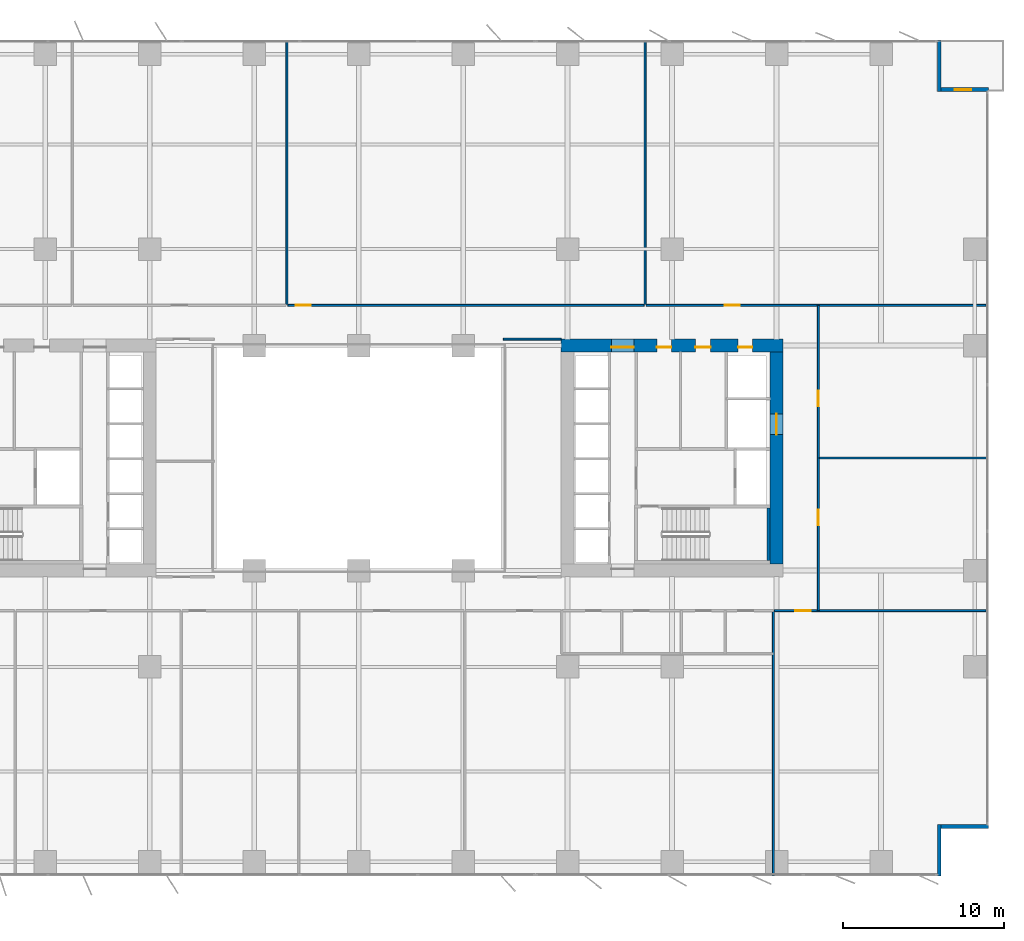
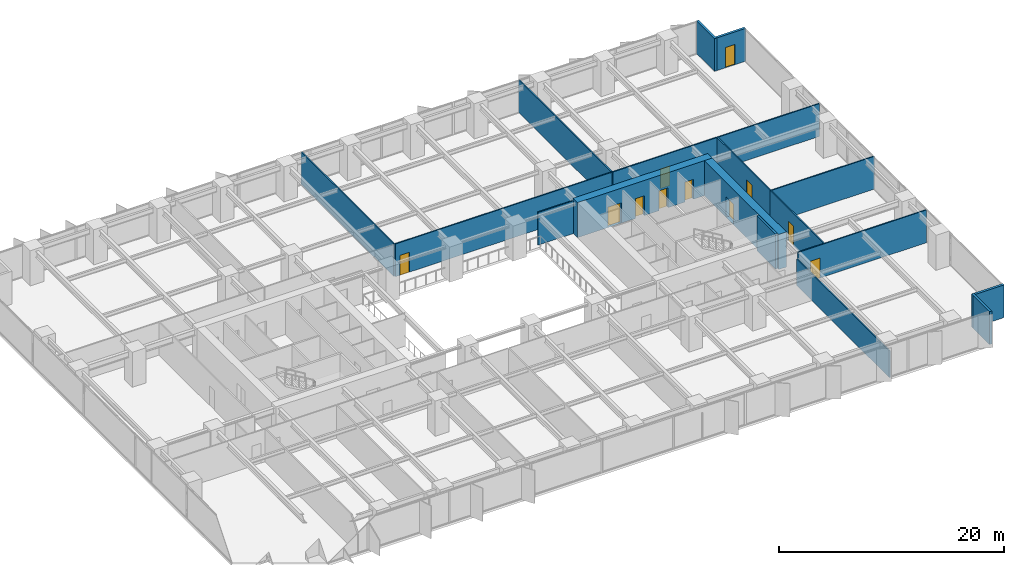
# One storey, part 15 of 20: 17 walls, 11 doors, 11 openings.
"""IFC4 building model written with IfcOpenShell, lengths in metres."""

from ifc_helpers import new_model, si_unit, direction, frame, frame_2d, origin, place, context, subcontext, project, spatial, rectangle, extrude, material, layer, layer_set, type_object, element, fill, save


model = new_model("IFC4")

# Units and contexts
model_context = context("Model", 3, precision=1e-05, world=origin(), true_north=direction((0.0, 1.0)))
body_context = subcontext(model_context, "Body", "Model", "MODEL_VIEW")
ifc_project = project(units=[si_unit("LENGTHUNIT", "METRE"), si_unit("AREAUNIT", "SQUARE_METRE"), si_unit("VOLUMEUNIT", "CUBIC_METRE"), si_unit("PLANEANGLEUNIT", "RADIAN"), si_unit("MASSUNIT", "GRAM", prefix="KILO")], contexts=[model_context])

# Site, building, storey
site_placement = place(None, origin())
site = spatial("IfcSite", under=ifc_project, at=site_placement, CompositionType="ELEMENT")
building_placement = place(site_placement, origin())
building = spatial("IfcBuilding", under=site, at=building_placement, Name="Putna Gate Headquarters", CompositionType="ELEMENT")
storey_placement = place(building_placement, frame((0.0, 0.0, 69.60009765625)))
storey = spatial("IfcBuildingStorey", under=building, at=storey_placement, Name="L16", CompositionType="ELEMENT", Elevation=69.60009765625)

# Wall, openings, doors
ifc_material_1 = material(Name="Concrete C60/75", Category="concrete")
ifc_layer_1 = layer(ifc_material_1, 0.800048828125)
ifc_layer_set_1 = layer_set([ifc_layer_1], Name="Concrete C60/75")
wall_type_1 = type_object("IfcWallType", Name="WALL-CORE-800", PredefinedType="SHEAR", material=ifc_layer_set_1)
wall_1_placement = place(storey_placement, frame((51.60009765625, 33.0, 0.0), z_axis=(0.0, 0.0, 1.0), x_axis=(1.0, 0.0, 0.0)))
wall_1 = element("IfcWall", 1, at=wall_1_placement, inside=storey, type_object=wall_type_1, Name="L16 EC Split Core Shear Wall N", PredefinedType="SHEAR", context=body_context, shape_type="SweptSolid", body=[
    extrude(rectangle(XDim=13.7998046875, YDim=0.800048828125, at=frame_2d((6.89990234375, 0.0))), origin(), (0.0, 0.0, 1.0), 3.7998046875),
])
opening_1_placement = place(wall_1_placement, frame((3.1201171875, 0.0, 0.0)))
opening_1 = element("IfcOpeningElement", 2, at=opening_1_placement, cuts=wall_1, Name="Opening FDD-140", PredefinedType="OPENING", context=body_context, shape_type="SweptSolid", body=[
    extrude(rectangle(XDim=1.39990234375, YDim=2.199951171875, at=frame_2d((0.699951171875, 1.10009765625))), frame((0.0, 0.409912109375, 0.0), z_axis=(0.0, -1.0, 0.0), x_axis=(1.0, 0.0, 0.0)), (0.0, 0.0, 1.0), 0.820068359375),
])
opening_2_placement = place(wall_1_placement, frame((11.0, 0.0, 0.0)))
opening_2 = element("IfcOpeningElement", 3, at=opening_2_placement, cuts=wall_1, Name="Opening RD-90", PredefinedType="OPENING", context=body_context, shape_type="SweptSolid", body=[
    extrude(rectangle(XDim=0.89990234375, YDim=2.14990234375, at=frame_2d((0.449951171875, 1.074951171875))), frame((0.0, 0.409912109375, 0.0), z_axis=(0.0, -1.0, 0.0), x_axis=(1.0, 0.0, 0.0)), (0.0, 0.0, 1.0), 0.820068359375),
])
opening_3_placement = place(wall_1_placement, frame((5.949951171875, 0.0, 0.0)))
opening_3 = element("IfcOpeningElement", 4, at=opening_3_placement, cuts=wall_1, Name="Opening IDS-90", PredefinedType="OPENING", context=body_context, shape_type="SweptSolid", body=[
    extrude(rectangle(XDim=0.89990234375, YDim=2.14990234375, at=frame_2d((0.449951171875, 1.074951171875))), frame((0.0, 0.409912109375, 0.0), z_axis=(0.0, -1.0, 0.0), x_axis=(1.0, 0.0, 0.0)), (0.0, 0.0, 1.0), 0.820068359375),
])
opening_4_placement = place(wall_1_placement, frame((8.35009765625, 0.0, 0.0)))
opening_4 = element("IfcOpeningElement", 5, at=opening_4_placement, cuts=wall_1, Name="Opening IDS-95", PredefinedType="OPENING", context=body_context, shape_type="SweptSolid", body=[
    extrude(rectangle(XDim=0.949951171875, YDim=2.14990234375, at=frame_2d((0.47509765625, 1.074951171875))), frame((0.0, 0.409912109375, 0.0), z_axis=(0.0, -1.0, 0.0), x_axis=(1.0, 0.0, 0.0)), (0.0, 0.0, 1.0), 0.820068359375),
])
ifc_material_2 = material(Name="Double steel fire door", Category="steel")
door_type_1 = type_object("IfcDoorType", Name="DOOR-FIRE-DBL-1400", OperationType="DOUBLE_DOOR_SINGLE_SWING", PredefinedType="DOOR", material=ifc_material_2)
door_1_placement = place(opening_1_placement, origin())
door_1 = element("IfcDoor", 6, at=door_1_placement, inside=storey, type_object=door_type_1, Name="L16 East Lift Lobby North Door", OperationType="DOUBLE_DOOR_SINGLE_SWING", OverallHeight=2.199951171875, OverallWidth=1.39990234375, PredefinedType="DOOR", context=body_context, shape_type="SweptSolid", body=[
    extrude(rectangle(XDim=1.39990234375, YDim=2.199951171875, at=frame_2d((0.699951171875, 1.10009765625))), frame((0.0, -0.0751953125, 0.0), z_axis=(0.0, -1.0, 0.0), x_axis=(1.0, 0.0, 0.0)), (0.0, 0.0, 1.0), 0.050048828125),
])
fill(opening_1, door_1)
ifc_material_3 = material(Name="Fire-rated utility door")
door_type_2 = type_object("IfcDoorType", Name="DOOR-INT-900", OperationType="NOTDEFINED", PredefinedType="DOOR", material=ifc_material_3)
door_2_placement = place(opening_3_placement, origin())
door_2 = element("IfcDoor", 7, at=door_2_placement, inside=storey, type_object=door_type_2, Name="L16 Telecoms Plant Door", OperationType="SINGLE_SWING_LEFT", OverallHeight=2.14990234375, OverallWidth=0.89990234375, PredefinedType="DOOR", context=body_context, shape_type="SweptSolid", body=[
    extrude(rectangle(XDim=0.89990234375, YDim=2.14990234375, at=frame_2d((0.449951171875, 1.074951171875))), frame((0.0, -0.0751953125, 0.0), z_axis=(0.0, -1.0, 0.0), x_axis=(1.0, 0.0, 0.0)), (0.0, 0.0, 1.0), 0.050048828125),
])
fill(opening_3, door_2)
ifc_material_4 = material(Name="Fire-rated service timber door", Category="wood")
door_type_3 = type_object("IfcDoorType", Name="DOOR-INT-950", OperationType="NOTDEFINED", PredefinedType="DOOR", material=ifc_material_4)
door_3_placement = place(opening_4_placement, origin())
door_3 = element("IfcDoor", 8, at=door_3_placement, inside=storey, type_object=door_type_3, Name="L16 Supplies Store Door", OperationType="SINGLE_SWING_RIGHT", OverallHeight=2.14990234375, OverallWidth=0.949951171875, PredefinedType="DOOR", context=body_context, shape_type="SweptSolid", body=[
    extrude(rectangle(XDim=0.949951171875, YDim=2.14990234375, at=frame_2d((0.47509765625, 1.074951171875))), frame((0.0, -0.0751953125, 0.0), z_axis=(0.0, -1.0, 0.0), x_axis=(1.0, 0.0, 0.0)), (0.0, 0.0, 1.0), 0.050048828125),
])
fill(opening_4, door_3)
ifc_material_5 = material(Name="Steel riser access fire door", Category="steel")
door_type_4 = type_object("IfcDoorType", Name="DOOR-RISER-900", OperationType="NOTDEFINED", PredefinedType="DOOR", material=ifc_material_5)
door_4_placement = place(opening_2_placement, origin())
door_4 = element("IfcDoor", 9, at=door_4_placement, inside=storey, type_object=door_type_4, Name="L16 East Riser Access Door", OperationType="SINGLE_SWING_LEFT", OverallHeight=2.14990234375, OverallWidth=0.89990234375, PredefinedType="DOOR", context=body_context, shape_type="SweptSolid", body=[
    extrude(rectangle(XDim=0.89990234375, YDim=2.14990234375, at=frame_2d((0.449951171875, 1.074951171875))), frame((0.0, -0.0751953125, 0.0), z_axis=(0.0, -1.0, 0.0), x_axis=(1.0, 0.0, 0.0)), (0.0, 0.0, 1.0), 0.050048828125),
])
fill(opening_2, door_4)

# Wall, opening, door
wall_2_placement = place(storey_placement, frame((65.0, 19.39990234375, 0.0), z_axis=(0.0, 0.0, 1.0), x_axis=(0.0, 1.0, 0.0)))
wall_2 = element("IfcWall", 10, at=wall_2_placement, inside=storey, type_object=wall_type_1, Name="L16 EC Split Core Shear Wall E", PredefinedType="SHEAR", context=body_context, shape_type="SweptSolid", body=[
    extrude(rectangle(XDim=13.2001953125, YDim=0.800048828125, at=frame_2d((6.60009765625, 0.0))), origin(), (0.0, 0.0, 1.0), 3.7998046875),
])
opening_5_placement = place(wall_2_placement, frame((8.050048828125, 0.0, 0.0)))
opening_5 = element("IfcOpeningElement", 11, at=opening_5_placement, cuts=wall_2, Name="Opening LD-2", PredefinedType="OPENING", context=body_context, shape_type="SweptSolid", body=[
    extrude(rectangle(XDim=1.300048828125, YDim=2.199951171875, at=frame_2d((0.64990234375, 1.10009765625))), frame((0.0, 0.409912109375, 0.0), z_axis=(0.0, -1.0, 0.0), x_axis=(1.0, 0.0, 0.0)), (0.0, 0.0, 1.0), 0.820068359375),
])
ifc_material_6 = material(Name="Heavy-duty goods lift sliding landing door")
door_type_5 = type_object("IfcDoorType", Name="DOOR-LIFT-1300", OperationType="DOUBLE_DOOR_SLIDING", PredefinedType="DOOR", material=ifc_material_6)
door_5_placement = place(opening_5_placement, origin())
door_5 = element("IfcDoor", 12, at=door_5_placement, inside=storey, type_object=door_type_5, Name="L16 Goods Lift Landing Door LD-15", OperationType="DOUBLE_DOOR_SLIDING", OverallHeight=2.199951171875, OverallWidth=1.300048828125, PredefinedType="DOOR", context=body_context, shape_type="SweptSolid", body=[
    extrude(rectangle(XDim=1.300048828125, YDim=2.199951171875, at=frame_2d((0.64990234375, 1.10009765625))), frame((0.0, 0.02490234375, 0.0), z_axis=(0.0, -1.0, 0.0), x_axis=(1.0, 0.0, 0.0)), (0.0, 0.0, 1.0), 0.050048828125),
])
fill(opening_5, door_5)

# Wall
ifc_material_7 = material(Name="Precast concrete C40/50", Category="concrete")
ifc_layer_2 = layer(ifc_material_7, 0.239990234375)
ifc_layer_set_2 = layer_set([ifc_layer_2], Name="Precast concrete C40/50")
wall_type_2 = type_object("IfcWallType", Name="WALL-EXT-TERR-240", PredefinedType="STANDARD", material=ifc_layer_set_2)
wall_3_placement = place(storey_placement, frame((75.1201171875, 52.0, 0.0), z_axis=(0.0, 0.0, 1.0), x_axis=(0.0, -1.0, 0.0)))
element("IfcWall", 13, at=wall_3_placement, inside=storey, type_object=wall_type_2, Name="L16 Corner Notch Return Wall NE-V", PredefinedType="STANDARD", context=body_context, shape_type="SweptSolid", body=[
    extrude(rectangle(XDim=3.199951171875, YDim=0.239990234375, at=frame_2d((1.60009765625, 0.0))), origin(), (0.0, 0.0, 1.0), 3.5498046875),
])

# Wall, opening, door
wall_4_placement = place(storey_placement, frame((75.0, 48.919921875, 0.0), z_axis=(0.0, 0.0, 1.0), x_axis=(1.0, 0.0, 0.0)))
wall_4 = element("IfcWall", 14, at=wall_4_placement, inside=storey, type_object=wall_type_2, Name="L16 Corner Notch Return Wall NE-H", PredefinedType="STANDARD", context=body_context, shape_type="SweptSolid", body=[
    extrude(rectangle(XDim=3.199951171875, YDim=0.239990234375, at=frame_2d((1.60009765625, 0.0))), origin(), (0.0, 0.0, 1.0), 3.5498046875),
])
opening_6_placement = place(wall_4_placement, frame((1.10009765625, 0.0, 0.0)))
opening_6 = element("IfcOpeningElement", 15, at=opening_6_placement, cuts=wall_4, Name="Opening TRD-1", PredefinedType="OPENING", context=body_context, shape_type="SweptSolid", body=[
    extrude(rectangle(XDim=1.0, YDim=2.199951171875, at=frame_2d((0.5, 1.10009765625))), frame((0.0, 0.1298828125, 0.0), z_axis=(0.0, -1.0, 0.0), x_axis=(1.0, 0.0, 0.0)), (0.0, 0.0, 1.0), 0.260009765625),
])
ifc_material_8 = material(Name="Thermally broken bronze glazed terrace door")
door_type_6 = type_object("IfcDoorType", Name="DOOR-TERR-EXT-1000", OperationType="NOTDEFINED", PredefinedType="DOOR", material=ifc_material_8)
door_6_placement = place(opening_6_placement, origin())
door_6 = element("IfcDoor", 16, at=door_6_placement, inside=storey, type_object=door_type_6, Name="L16 Spiral Sky Terrace Door NE", OperationType="SINGLE_SWING_LEFT", OverallHeight=2.199951171875, OverallWidth=1.0, PredefinedType="DOOR", context=body_context, shape_type="SweptSolid", body=[
    extrude(rectangle(XDim=1.0, YDim=2.199951171875, at=frame_2d((0.5, 1.10009765625))), frame((0.0, 0.02490234375, 0.0), z_axis=(0.0, -1.0, 0.0), x_axis=(1.0, 0.0, 0.0)), (0.0, 0.0, 1.0), 0.050048828125),
])
fill(opening_6, door_6)

# Walls
for number, where, z_axis, x_axis, name in (
    (17, (75.1201171875, 3.199951171875, 0.0), (0.0, 0.0, 1.0), (0.0, -1.0, 0.0), "L16 Corner Notch Return Wall SE-V"),
    (18, (78.199951171875, 3.080078125, 0.0), (0.0, 0.0, 1.0), (-1.0, 0.0, 0.0), "L16 Corner Notch Return Wall SE-H"),
):
    element("IfcWall", number, at=place(storey_placement, frame(where, z_axis=z_axis, x_axis=x_axis)), inside=storey, type_object=wall_type_2, Name=name, PredefinedType="STANDARD", context=body_context, shape_type="SweptSolid", body=[
        extrude(rectangle(XDim=3.199951171875, YDim=0.239990234375, at=frame_2d((1.60009765625, 0.0))), origin(), (0.0, 0.0, 1.0), 3.5498046875),
    ])
ifc_material_9 = material(Name="Acoustic gypsum board on metal stud")
ifc_layer_3 = layer(ifc_material_9, 0.1201171875)
ifc_layer_set_3 = layer_set([ifc_layer_3], Name="Acoustic gypsum board on metal stud")
wall_type_3 = type_object("IfcWallType", Name="WALL-PART-120", PredefinedType="PARTITIONING", material=ifc_layer_set_3)
wall_5_placement = place(storey_placement, frame((48.0, 33.39990234375, 0.0), z_axis=(0.0, 0.0, 1.0), x_axis=(1.0, 0.0, 0.0)))
element("IfcWall", 19, at=wall_5_placement, inside=storey, type_object=wall_type_3, Name="L16 Interior Wall PART-L16-ATR-E-N", PredefinedType="PARTITIONING", context=body_context, shape_type="SweptSolid", body=[
    extrude(rectangle(XDim=3.60009765625, YDim=0.1201171875, at=frame_2d((1.800048828125, 0.0))), origin(), (0.0, 0.0, 1.0), 3.5498046875),
])
for number, where, z_axis, x_axis, name in (
    (20, (34.5283203125, 35.56005859375, 0.0), (0.0, 0.0, 1.0), (0.0, 1.0, 0.0), "L16 Interior Wall PART-L16-NB-DIV-02"),
    (21, (56.82421875, 35.56005859375, 0.0), (0.0, 0.0, 1.0), (0.0, 1.0, 0.0), "L16 Interior Wall PART-L16-NB-DIV-03"),
):
    element("IfcWall", number, at=place(storey_placement, frame(where, z_axis=z_axis, x_axis=x_axis)), inside=storey, type_object=wall_type_3, Name=name, PredefinedType="PARTITIONING", context=body_context, shape_type="SweptSolid", body=[
        extrude(rectangle(XDim=16.419921875, YDim=0.1201171875, at=frame_2d((8.2099609375, 0.0))), origin(), (0.0, 0.0, 1.0), 3.5498046875),
    ])
wall_6_placement = place(storey_placement, frame((64.800048828125, 0.02001953125, 0.0), z_axis=(0.0, 0.0, 1.0), x_axis=(0.0, 1.0, 0.0)))
element("IfcWall", 22, at=wall_6_placement, inside=storey, type_object=wall_type_3, Name="L16 Interior Wall PART-L16-SB-DIV-06", PredefinedType="PARTITIONING", context=body_context, shape_type="SweptSolid", body=[
    extrude(rectangle(XDim=16.419921875, YDim=0.1201171875, at=frame_2d((8.2099609375, 0.0))), origin(), (0.0, 0.0, 1.0), 2.89990234375),
])
wall_7_placement = place(storey_placement, frame((67.60009765625, 26.0, 0.0), z_axis=(0.0, 0.0, 1.0), x_axis=(1.0, 0.0, 0.0)))
element("IfcWall", 23, at=wall_7_placement, inside=storey, type_object=wall_type_3, Name="L16 Interior Wall PART-L16-EW-DIV-1", PredefinedType="PARTITIONING", context=body_context, shape_type="SweptSolid", body=[
    extrude(rectangle(XDim=10.579833984375, YDim=0.1201171875, at=frame_2d((5.2900390625, 0.0))), origin(), (0.0, 0.0, 1.0), 3.5498046875),
])

# Wall, opening, door
ifc_material_10 = material(Name="Fire-rated gypsum board on metal stud")
ifc_layer_4 = layer(ifc_material_10, 0.1201171875)
ifc_layer_set_4 = layer_set([ifc_layer_4], Name="Fire-rated gypsum board on metal stud")
wall_type_4 = type_object("IfcWallType", Name="WALL-PART-120-RATED", PredefinedType="PARTITIONING", material=ifc_layer_set_4)
wall_8_placement = place(storey_placement, frame((34.58837890625, 35.5, 0.0), z_axis=(0.0, 0.0, 1.0), x_axis=(1.0, 0.0, 0.0)))
wall_8 = element("IfcWall", 24, at=wall_8_placement, inside=storey, type_object=wall_type_4, Name="L16 Interior Wall PART-L16-NB-CW-03", PredefinedType="PARTITIONING", context=body_context, shape_type="SweptSolid", body=[
    extrude(rectangle(XDim=22.176025390625, YDim=0.1201171875, at=frame_2d((11.087890625, 0.0))), origin(), (0.0, 0.0, 1.0), 3.5498046875),
])
opening_7_placement = place(wall_8_placement, frame((0.47998046875, 0.0, 0.0)))
opening_7 = element("IfcOpeningElement", 25, at=opening_7_placement, cuts=wall_8, Name="Opening FD-95", PredefinedType="OPENING", context=body_context, shape_type="SweptSolid", body=[
    extrude(rectangle(XDim=0.949951171875, YDim=2.14990234375, at=frame_2d((0.47509765625, 1.074951171875))), frame((0.0, 0.070068359375, 0.0), z_axis=(0.0, -1.0, 0.0), x_axis=(1.0, 0.0, 0.0)), (0.0, 0.0, 1.0), 0.14013671875),
])
ifc_material_11 = material(Name="Acoustic timber fire door", Category="wood")
door_type_7 = type_object("IfcDoorType", Name="DOOR-FIRE-950", OperationType="NOTDEFINED", PredefinedType="DOOR", material=ifc_material_11)
door_7_placement = place(opening_7_placement, origin())
door_7 = element("IfcDoor", 26, at=door_7_placement, inside=storey, type_object=door_type_7, Name="L16 Conference Meeting Room 3 Door", OperationType="SINGLE_SWING_RIGHT", OverallHeight=2.14990234375, OverallWidth=0.949951171875, PredefinedType="DOOR", context=body_context, shape_type="SweptSolid", body=[
    extrude(rectangle(XDim=0.949951171875, YDim=2.14990234375, at=frame_2d((0.47509765625, 1.074951171875))), frame((0.0, 0.02490234375, 0.0), z_axis=(0.0, -1.0, 0.0), x_axis=(1.0, 0.0, 0.0)), (0.0, 0.0, 1.0), 0.050048828125),
])
fill(opening_7, door_7)

wall_9_placement = place(storey_placement, frame((56.88427734375, 35.5, 0.0), z_axis=(0.0, 0.0, 1.0), x_axis=(1.0, 0.0, 0.0)))
wall_9 = element("IfcWall", 27, at=wall_9_placement, inside=storey, type_object=wall_type_4, Name="L16 Interior Wall PART-L16-NB-CW-04", PredefinedType="PARTITIONING", context=body_context, shape_type="SweptSolid", body=[
    extrude(rectangle(XDim=21.1357421875, YDim=0.1201171875, at=frame_2d((10.56787109375, 0.0))), origin(), (0.0, 0.0, 1.0), 3.5498046875),
])
opening_8_placement = place(wall_9_placement, frame((4.8828125, 0.0, 0.0)))
opening_8 = element("IfcOpeningElement", 28, at=opening_8_placement, cuts=wall_9, Name="Opening FD-95", PredefinedType="OPENING", context=body_context, shape_type="SweptSolid", body=[
    extrude(rectangle(XDim=0.949951171875, YDim=2.14990234375, at=frame_2d((0.47509765625, 1.074951171875))), frame((0.0, 0.070068359375, 0.0), z_axis=(0.0, -1.0, 0.0), x_axis=(1.0, 0.0, 0.0)), (0.0, 0.0, 1.0), 0.14013671875),
])
door_8_placement = place(opening_8_placement, origin())
door_8 = element("IfcDoor", 29, at=door_8_placement, inside=storey, type_object=door_type_7, Name="L16 Cellular Office 1 Door", OperationType="SINGLE_SWING_LEFT", OverallHeight=2.14990234375, OverallWidth=0.949951171875, PredefinedType="DOOR", context=body_context, shape_type="SweptSolid", body=[
    extrude(rectangle(XDim=0.949951171875, YDim=2.14990234375, at=frame_2d((0.47509765625, 1.074951171875))), frame((0.0, 0.02490234375, 0.0), z_axis=(0.0, -1.0, 0.0), x_axis=(1.0, 0.0, 0.0)), (0.0, 0.0, 1.0), 0.050048828125),
])
fill(opening_8, door_8)

wall_10_placement = place(storey_placement, frame((64.860107421875, 16.5, 0.0), z_axis=(0.0, 0.0, 1.0), x_axis=(1.0, 0.0, 0.0)))
wall_10 = element("IfcWall", 30, at=wall_10_placement, inside=storey, type_object=wall_type_4, Name="L16 Interior Wall PART-L16-SB-CW-07", PredefinedType="PARTITIONING", context=body_context, shape_type="SweptSolid", body=[
    extrude(rectangle(XDim=13.159912109375, YDim=0.1201171875, at=frame_2d((6.580078125, 0.0))), origin(), (0.0, 0.0, 1.0), 3.5498046875),
])
opening_9_placement = place(wall_10_placement, frame((1.31005859375, 0.0, 0.0)))
opening_9 = element("IfcOpeningElement", 31, at=opening_9_placement, cuts=wall_10, Name="Opening FD-95", PredefinedType="OPENING", context=body_context, shape_type="SweptSolid", body=[
    extrude(rectangle(XDim=0.949951171875, YDim=2.14990234375, at=frame_2d((0.47509765625, 1.074951171875))), frame((0.0, 0.070068359375, 0.0), z_axis=(0.0, -1.0, 0.0), x_axis=(1.0, 0.0, 0.0)), (0.0, 0.0, 1.0), 0.14013671875),
])
door_9_placement = place(opening_9_placement, origin())
door_9 = element("IfcDoor", 32, at=door_9_placement, inside=storey, type_object=door_type_7, Name="L16 Conference Meeting Room 1 Door", OperationType="SINGLE_SWING_RIGHT", OverallHeight=2.14990234375, OverallWidth=0.949951171875, PredefinedType="DOOR", context=body_context, shape_type="SweptSolid", body=[
    extrude(rectangle(XDim=0.949951171875, YDim=2.14990234375, at=frame_2d((0.47509765625, 1.074951171875))), frame((0.0, 0.02490234375, 0.0), z_axis=(0.0, -1.0, 0.0), x_axis=(1.0, 0.0, 0.0)), (0.0, 0.0, 1.0), 0.050048828125),
])
fill(opening_9, door_9)

wall_11_placement = place(storey_placement, frame((67.60009765625, 16.5, 0.0), z_axis=(0.0, 0.0, 1.0), x_axis=(0.0, 1.0, 0.0)))
wall_11 = element("IfcWall", 33, at=wall_11_placement, inside=storey, type_object=wall_type_4, Name="L16 Interior Wall PART-L16-EW-CW-1", PredefinedType="PARTITIONING", context=body_context, shape_type="SweptSolid", body=[
    extrude(rectangle(XDim=9.5, YDim=0.1201171875, at=frame_2d((4.75, 0.0))), origin(), (0.0, 0.0, 1.0), 3.5498046875),
])
opening_10_placement = place(wall_11_placement, frame((5.324951171875, 0.0, 0.0)))
opening_10 = element("IfcOpeningElement", 34, at=opening_10_placement, cuts=wall_11, Name="Opening FD-95", PredefinedType="OPENING", context=body_context, shape_type="SweptSolid", body=[
    extrude(rectangle(XDim=0.949951171875, YDim=2.14990234375, at=frame_2d((0.47509765625, 1.074951171875))), frame((0.0, 0.070068359375, 0.0), z_axis=(0.0, -1.0, 0.0), x_axis=(1.0, 0.0, 0.0)), (0.0, 0.0, 1.0), 0.14013671875),
])
door_10_placement = place(opening_10_placement, origin())
door_10 = element("IfcDoor", 35, at=door_10_placement, inside=storey, type_object=door_type_7, Name="L16 East Horizon Conference Room 1 Door", OperationType="SINGLE_SWING_RIGHT", OverallHeight=2.14990234375, OverallWidth=0.949951171875, PredefinedType="DOOR", context=body_context, shape_type="SweptSolid", body=[
    extrude(rectangle(XDim=0.949951171875, YDim=2.14990234375, at=frame_2d((0.47509765625, 1.074951171875))), frame((0.0, 0.02490234375, 0.0), z_axis=(0.0, -1.0, 0.0), x_axis=(1.0, 0.0, 0.0)), (0.0, 0.0, 1.0), 0.050048828125),
])
fill(opening_10, door_10)

wall_12_placement = place(storey_placement, frame((67.60009765625, 26.0, 0.0), z_axis=(0.0, 0.0, 1.0), x_axis=(0.0, 1.0, 0.0)))
wall_12 = element("IfcWall", 36, at=wall_12_placement, inside=storey, type_object=wall_type_4, Name="L16 Interior Wall PART-L16-EW-CW-2", PredefinedType="PARTITIONING", context=body_context, shape_type="SweptSolid", body=[
    extrude(rectangle(XDim=9.5, YDim=0.1201171875, at=frame_2d((4.75, 0.0))), origin(), (0.0, 0.0, 1.0), 3.5498046875),
])
opening_11_placement = place(wall_12_placement, frame((3.22509765625, 0.0, 0.0)))
opening_11 = element("IfcOpeningElement", 37, at=opening_11_placement, cuts=wall_12, Name="Opening FD-95", PredefinedType="OPENING", context=body_context, shape_type="SweptSolid", body=[
    extrude(rectangle(XDim=0.949951171875, YDim=2.14990234375, at=frame_2d((0.47509765625, 1.074951171875))), frame((0.0, 0.070068359375, 0.0), z_axis=(0.0, -1.0, 0.0), x_axis=(1.0, 0.0, 0.0)), (0.0, 0.0, 1.0), 0.14013671875),
])
door_11_placement = place(opening_11_placement, origin())
door_11 = element("IfcDoor", 38, at=door_11_placement, inside=storey, type_object=door_type_7, Name="L16 East Horizon Conference Room 2 Door", OperationType="SINGLE_SWING_LEFT", OverallHeight=2.14990234375, OverallWidth=0.949951171875, PredefinedType="DOOR", context=body_context, shape_type="SweptSolid", body=[
    extrude(rectangle(XDim=0.949951171875, YDim=2.14990234375, at=frame_2d((0.47509765625, 1.074951171875))), frame((0.0, 0.02490234375, 0.0), z_axis=(0.0, -1.0, 0.0), x_axis=(1.0, 0.0, 0.0)), (0.0, 0.0, 1.0), 0.050048828125),
])
fill(opening_11, door_11)

# Wall
ifc_material_12 = material(Name="Concrete C40/50", Category="concrete")
ifc_layer_5 = layer(ifc_material_12, 0.199951171875)
ifc_layer_set_5 = layer_set([ifc_layer_5], Name="Concrete C40/50")
wall_type_5 = type_object("IfcWallType", Name="WALL-SHAFT-RC200", PredefinedType="SHEAR", material=ifc_layer_set_5)
wall_13_placement = place(storey_placement, frame((64.489990234375, 19.610107421875, 0.0), z_axis=(0.0, 0.0, 1.0), x_axis=(0.0, 1.0, 0.0)))
element("IfcWall", 39, at=wall_13_placement, inside=storey, type_object=wall_type_5, Name="L16 Stair ST2 Structural Shaft Wall E", PredefinedType="SHEAR", context=body_context, shape_type="SweptSolid", body=[
    extrude(rectangle(XDim=3.27978515625, YDim=0.199951171875, at=frame_2d((1.639892578125, 0.0))), origin(), (0.0, 0.0, 1.0), 3.7998046875),
])

save(model, "model.ifc")
